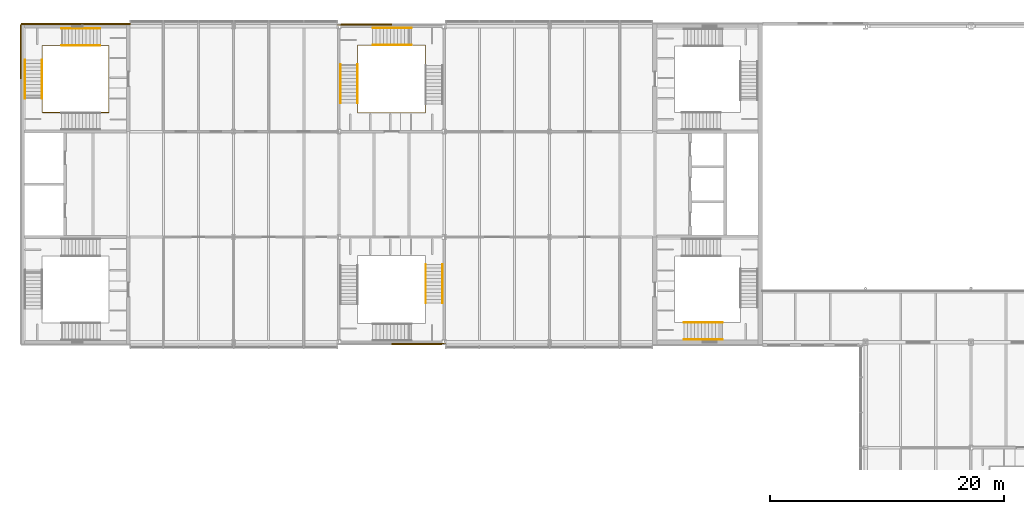
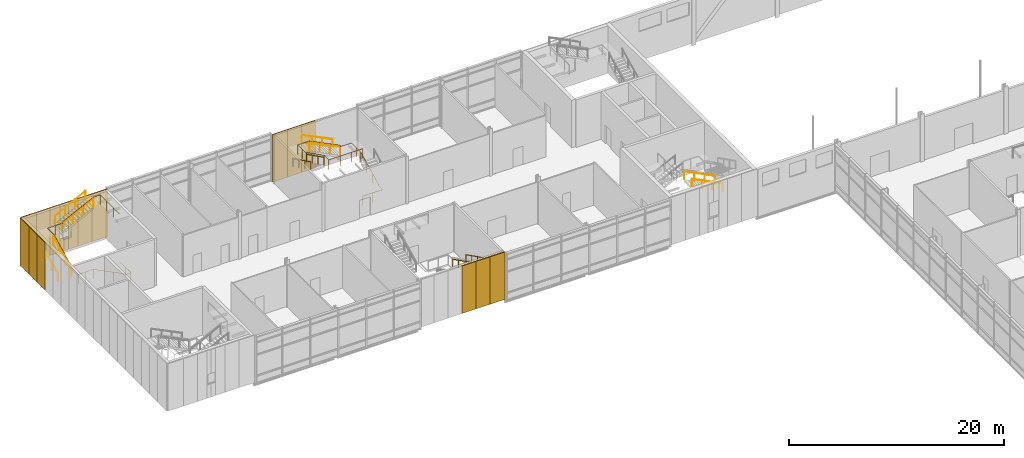
# One storey, part 51 of 56: 19 coverings, 14 railings.
"""IFC4 building model written with IfcOpenShell, lengths in metres."""

from ifc_helpers import new_model, si_unit, direction, frame, origin, origin_2d, place, context, subcontext, project, spatial, rectangle, circle, extrude, material, layer, layer_set, type_object, element, save


model = new_model("IFC4")

# Units and contexts
model_context = context("Model", 3, precision=1e-05, world=origin(), true_north=direction((0.0, 1.0)))
body_context = subcontext(model_context, "Body", "Model", "MODEL_VIEW")
ifc_project = project(units=[si_unit("LENGTHUNIT", "METRE"), si_unit("AREAUNIT", "SQUARE_METRE"), si_unit("VOLUMEUNIT", "CUBIC_METRE"), si_unit("PLANEANGLEUNIT", "RADIAN"), si_unit("MASSUNIT", "GRAM", prefix="KILO")], contexts=[model_context])

# Site, building, storey
site_placement = place(None, origin())
site = spatial("IfcSite", under=ifc_project, at=site_placement, CompositionType="ELEMENT")
building_placement = place(site_placement, origin())
building = spatial("IfcBuilding", under=site, at=building_placement, Name="Azimuth Sports and Learning Centre", CompositionType="ELEMENT")
storey_placement = place(building_placement, frame((0.0, 0.0, 5.39990234375)))
storey = spatial("IfcBuildingStorey", under=building, at=storey_placement, Name="L01", CompositionType="ELEMENT", Elevation=5.39990234375)

# Coverings
ifc_material_1 = material(Name="Cladding panel")
ifc_layer = layer(ifc_material_1, 0.10009765625)
ifc_layer_set = layer_set([ifc_layer], Name="Cladding panel")
covering_type = type_object("IfcCoveringType", Name="Cladding panel 100", PredefinedType="CLADDING", material=ifc_layer_set)
for number, where, z_axis, x_axis, name in (
    (1, (32.25, 89.85009765625, 0.000244140625), (0.0, 0.0, 1.0), (1.0, 0.0, 0.0), "Cladding panel S-WM1 L01 4"),
    (2, (33.75, 89.85009765625, 0.000244140625), (0.0, 0.0, 1.0), (1.0, 0.0, 0.0), "Cladding panel S-WM1 L01 5"),
):
    element("IfcCovering", number, at=place(storey_placement, frame(where, z_axis=z_axis, x_axis=x_axis)), inside=storey, type_object=covering_type, Name=name, PredefinedType="CLADDING", context=body_context, shape_type="SweptSolid", body=[
        extrude(rectangle(XDim=1.5, YDim=0.10009765625, at=origin_2d()), origin(), (0.0, 0.0, 1.0), 5.39990234375),
    ])
covering_1_placement = place(storey_placement, frame((35.300048828125, 89.85009765625, 0.000244140625), z_axis=(0.0, 0.0, 1.0), x_axis=(1.0, 0.0, 0.0)))
element("IfcCovering", 3, at=covering_1_placement, inside=storey, type_object=covering_type, Name="Cladding panel S-WM1 L01 6", PredefinedType="CLADDING", context=body_context, shape_type="SweptSolid", body=[
    extrude(rectangle(XDim=1.60009765625, YDim=0.10009765625, at=origin_2d()), origin(), (0.0, 0.0, 1.0), 5.39990234375),
])
for number, where, z_axis, x_axis, name in (
    (4, (30.75, 117.14990234375, 0.000244140625), (0.0, 0.0, 1.0), (-1.0, 0.0, 0.0), "Cladding panel N-WM2 L01 4"),
    (5, (29.25, 117.14990234375, 0.000244140625), (0.0, 0.0, 1.0), (-1.0, 0.0, 0.0), "Cladding panel N-WM2 L01 5"),
):
    element("IfcCovering", number, at=place(storey_placement, frame(where, z_axis=z_axis, x_axis=x_axis)), inside=storey, type_object=covering_type, Name=name, PredefinedType="CLADDING", context=body_context, shape_type="SweptSolid", body=[
        extrude(rectangle(XDim=1.5, YDim=0.10009765625, at=origin_2d()), origin(), (0.0, 0.0, 1.0), 5.39990234375),
    ])
covering_2_placement = place(storey_placement, frame((27.699951171875, 117.14990234375, 0.000244140625), z_axis=(0.0, 0.0, 1.0), x_axis=(-1.0, 0.0, 0.0)))
element("IfcCovering", 6, at=covering_2_placement, inside=storey, type_object=covering_type, Name="Cladding panel N-WM2 L01 6", PredefinedType="CLADDING", context=body_context, shape_type="SweptSolid", body=[
    extrude(rectangle(XDim=1.60009765625, YDim=0.10009765625, at=origin_2d()), origin(), (0.0, 0.0, 1.0), 5.39990234375),
])
covering_3_placement = place(storey_placement, frame((8.324951171875, 117.199951171875, 0.000244140625), z_axis=(0.0, 0.0, 1.0), x_axis=(-1.0, 0.0, 0.0)))
element("IfcCovering", 7, at=covering_3_placement, inside=storey, type_object=covering_type, Name="Cladding panel N-END W L01 1", PredefinedType="CLADDING", context=body_context, shape_type="SweptSolid", body=[
    extrude(rectangle(XDim=1.64990234375, YDim=0.10009765625, at=origin_2d()), origin(), (0.0, 0.0, 1.0), 5.39990234375),
])
covering_4_placement = place(storey_placement, frame((6.75, 117.199951171875, 0.000244140625), z_axis=(0.0, 0.0, 1.0), x_axis=(-1.0, 0.0, 0.0)))
element("IfcCovering", 8, at=covering_4_placement, inside=storey, type_object=covering_type, Name="Cladding panel N-END W L01 2", PredefinedType="CLADDING", context=body_context, shape_type="SweptSolid", body=[
    extrude(rectangle(XDim=1.5, YDim=0.10009765625, at=origin_2d()), origin(), (0.0, 0.0, 1.0), 5.39990234375),
])
covering_5_placement = place(storey_placement, frame((5.47509765625, 117.199951171875, 0.000244140625), z_axis=(0.0, 0.0, 1.0), x_axis=(-1.0, 0.0, 0.0)))
element("IfcCovering", 9, at=covering_5_placement, inside=storey, type_object=covering_type, Name="Cladding panel N-END W L01 3", PredefinedType="CLADDING", context=body_context, shape_type="SweptSolid", body=[
    extrude(rectangle(XDim=1.050048828125, YDim=0.10009765625, at=origin_2d()), origin(), (0.0, 0.0, 1.0), 5.39990234375),
])
covering_6_placement = place(storey_placement, frame((4.72509765625, 117.199951171875, 0.0), z_axis=(0.0, 0.0, 1.0), x_axis=(-1.0, 0.0, 0.0)))
element("IfcCovering", 10, at=covering_6_placement, inside=storey, type_object=covering_type, Name="Cladding panel N-END W L01 4", PredefinedType="CLADDING", context=body_context, shape_type="SweptSolid", body=[
    extrude(rectangle(XDim=0.449951171875, YDim=0.10009765625, at=origin_2d()), origin(), (0.0, 0.0, 1.0), 1.5),
])
covering_7_placement = place(storey_placement, frame((4.72509765625, 117.199951171875, 2.7001953125), z_axis=(0.0, 0.0, 1.0), x_axis=(-1.0, 0.0, 0.0)))
element("IfcCovering", 11, at=covering_7_placement, inside=storey, type_object=covering_type, Name="Cladding panel N-END W L01 5", PredefinedType="CLADDING", context=body_context, shape_type="SweptSolid", body=[
    extrude(rectangle(XDim=0.449951171875, YDim=0.10009765625, at=origin_2d()), origin(), (0.0, 0.0, 1.0), 2.699951171875),
])
covering_8_placement = place(storey_placement, frame((3.52490234375, 117.199951171875, 0.000244140625), z_axis=(0.0, 0.0, 1.0), x_axis=(-1.0, 0.0, 0.0)))
element("IfcCovering", 12, at=covering_8_placement, inside=storey, type_object=covering_type, Name="Cladding panel N-END W L01 6", PredefinedType="CLADDING", context=body_context, shape_type="SweptSolid", body=[
    extrude(rectangle(XDim=1.050048828125, YDim=0.10009765625, at=origin_2d()), origin(), (0.0, 0.0, 1.0), 5.39990234375),
])
covering_9_placement = place(storey_placement, frame((4.27490234375, 117.199951171875, 0.0), z_axis=(0.0, 0.0, 1.0), x_axis=(-1.0, 0.0, 0.0)))
element("IfcCovering", 13, at=covering_9_placement, inside=storey, type_object=covering_type, Name="Cladding panel N-END W L01 7", PredefinedType="CLADDING", context=body_context, shape_type="SweptSolid", body=[
    extrude(rectangle(XDim=0.449951171875, YDim=0.10009765625, at=origin_2d()), origin(), (0.0, 0.0, 1.0), 1.5),
])
covering_10_placement = place(storey_placement, frame((4.27490234375, 117.199951171875, 2.7001953125), z_axis=(0.0, 0.0, 1.0), x_axis=(-1.0, 0.0, 0.0)))
element("IfcCovering", 14, at=covering_10_placement, inside=storey, type_object=covering_type, Name="Cladding panel N-END W L01 8", PredefinedType="CLADDING", context=body_context, shape_type="SweptSolid", body=[
    extrude(rectangle(XDim=0.449951171875, YDim=0.10009765625, at=origin_2d()), origin(), (0.0, 0.0, 1.0), 2.699951171875),
])
covering_11_placement = place(storey_placement, frame((2.25, 117.199951171875, 0.000244140625), z_axis=(0.0, 0.0, 1.0), x_axis=(-1.0, 0.0, 0.0)))
element("IfcCovering", 15, at=covering_11_placement, inside=storey, type_object=covering_type, Name="Cladding panel N-END W L01 9", PredefinedType="CLADDING", context=body_context, shape_type="SweptSolid", body=[
    extrude(rectangle(XDim=1.5, YDim=0.10009765625, at=origin_2d()), origin(), (0.0, 0.0, 1.0), 5.39990234375),
])
for number, where, z_axis, x_axis, name in (
    (16, (0.675048828125, 117.199951171875, 0.000244140625), (0.0, 0.0, 1.0), (-1.0, 0.0, 0.0), "Cladding panel N-END W L01 10"),
    (17, (-0.199951171875, 116.324951171875, 0.000244140625), (0.0, 0.0, 1.0), (0.0, -1.0, 0.0), "Cladding panel W-END W L01 1"),
):
    element("IfcCovering", number, at=place(storey_placement, frame(where, z_axis=z_axis, x_axis=x_axis)), inside=storey, type_object=covering_type, Name=name, PredefinedType="CLADDING", context=body_context, shape_type="SweptSolid", body=[
        extrude(rectangle(XDim=1.64990234375, YDim=0.10009765625, at=origin_2d()), origin(), (0.0, 0.0, 1.0), 5.39990234375),
    ])
for number, where, z_axis, x_axis, name in (
    (18, (-0.199951171875, 114.75, 0.000244140625), (0.0, 0.0, 1.0), (0.0, -1.0, 0.0), "Cladding panel W-END W L01 2"),
    (19, (-0.199951171875, 113.25, 0.000244140625), (0.0, 0.0, 1.0), (0.0, -1.0, 0.0), "Cladding panel W-END W L01 3"),
):
    element("IfcCovering", number, at=place(storey_placement, frame(where, z_axis=z_axis, x_axis=x_axis)), inside=storey, type_object=covering_type, Name=name, PredefinedType="CLADDING", context=body_context, shape_type="SweptSolid", body=[
        extrude(rectangle(XDim=1.5, YDim=0.10009765625, at=origin_2d()), origin(), (0.0, 0.0, 1.0), 5.39990234375),
    ])

# Railings
ifc_material_2 = material(Name="Stainless steel", Category="steel")
railing_type_1 = type_object("IfcRailingType", Name="Stair guard 1100", PredefinedType="GUARDRAIL", material=ifc_material_2)
railing_1_placement = place(storey_placement, frame((7.340087890625, 111.75, 0.0)))
element("IfcRailing", 20, at=railing_1_placement, inside=storey, type_object=railing_type_1, Name="Guard WW2 L01 well", PredefinedType="GUARDRAIL", context=body_context, shape_type="SweptSolid", body=[
    extrude(circle(Radius=0.02392578125, at=origin_2d()), frame((0.0, 0.0, 1.076171875), z_axis=(0.0, -1.0, 0.0), x_axis=(1.0, 0.0, 0.0)), (0.0, 0.0, 1.0), 2.114990234375),
    extrude(circle(Radius=0.02392578125, at=origin_2d()), frame((0.0, -2.114990234375, 1.076171875), z_axis=(-1.0, 0.0, 0.0), x_axis=(0.0, -1.0, 0.0)), (0.0, 0.0, 1.0), 0.75),
    extrude(circle(Radius=0.02392578125, at=origin_2d()), frame((-0.75, -2.114990234375, 1.076171875), z_axis=(0.0, 0.0, 1.0), x_axis=(1.0, 0.0, 0.0)), (0.0, 0.0, 1.0), 0.150146484375),
    extrude(circle(Radius=0.02392578125, at=origin_2d()), frame((-0.75, -2.114990234375, 1.22607421875), z_axis=(-0.894440424912, 0.0, 0.447187126696), x_axis=(0.0, -1.0, 0.0)), (0.0, 0.0, 1.0), 3.689453125),
    extrude(circle(Radius=0.02392578125, at=origin_2d()), frame((-4.050048828125, -2.114990234375, 2.8759765625), z_axis=(-1.0, 0.0, 0.0), x_axis=(0.0, -1.0, 0.0)), (0.0, 0.0, 1.0), 1.630126953125),
    extrude(circle(Radius=0.02392578125, at=origin_2d()), frame((-5.68017578125, -2.114990234375, 2.8759765625), z_axis=(0.0, 1.0, 0.0), x_axis=(-1.0, 0.0, 0.0)), (0.0, 0.0, 1.0), 1.199951171875),
    extrude(circle(Radius=0.02392578125, at=origin_2d()), frame((-5.68017578125, -0.9150390625, 2.8759765625), z_axis=(0.0, 0.0, 1.0), x_axis=(1.0, 0.0, 0.0)), (0.0, 0.0, 1.0), 0.150146484375),
    extrude(circle(Radius=0.02392578125, at=origin_2d()), frame((-5.68017578125, -0.9150390625, 3.0263671875), z_axis=(0.0, 0.894440424912, 0.447187126696), x_axis=(-1.0, 0.0, 0.0)), (0.0, 0.0, 1.0), 3.689453125),
    extrude(circle(Radius=0.02392578125, at=origin_2d()), frame((-5.68017578125, 2.385009765625, 4.67626953125), z_axis=(0.0, 1.0, 0.0), x_axis=(-1.0, 0.0, 0.0)), (0.0, 0.0, 1.0), 1.205078125),
    extrude(circle(Radius=0.02392578125, at=origin_2d()), frame((-5.68017578125, 3.590087890625, 4.67626953125), z_axis=(1.0, 0.0, 0.0), x_axis=(0.0, 1.0, 0.0)), (0.0, 0.0, 1.0), 1.650146484375),
    extrude(circle(Radius=0.02392578125, at=origin_2d()), frame((-4.030029296875, 3.590087890625, 4.67626953125), z_axis=(0.0, 0.0, 1.0), x_axis=(1.0, 0.0, 0.0)), (0.0, 0.0, 1.0), 0.14990234375),
    extrude(circle(Radius=0.02392578125, at=origin_2d()), frame((-4.030029296875, 3.590087890625, 4.826171875), z_axis=(0.894413956696, 0.0, 0.447240063129), x_axis=(0.0, 1.0, 0.0)), (0.0, 0.0, 1.0), 3.689697265625),
    extrude(circle(Radius=0.02392578125, at=origin_2d()), frame((-0.72998046875, 3.590087890625, 6.47607421875), z_axis=(1.0, 0.0, 0.0), x_axis=(0.0, 1.0, 0.0)), (0.0, 0.0, 1.0), 0.72998046875),
    extrude(circle(Radius=0.02392578125, at=origin_2d()), frame((0.0, 3.590087890625, 6.47607421875), z_axis=(0.0, -1.0, 0.0), x_axis=(1.0, 0.0, 0.0)), (0.0, 0.0, 1.0), 3.590087890625),
    extrude(circle(Radius=0.01611328125, at=origin_2d()), origin(), (0.0, 0.0, 1.0), 1.052001953125),
    extrude(circle(Radius=0.01611328125, at=origin_2d()), frame((0.0, -1.0576171875, 0.0)), (0.0, 0.0, 1.0), 1.052001953125),
    extrude(circle(Radius=0.01611328125, at=origin_2d()), frame((0.0, -2.114990234375, 0.0)), (0.0, 0.0, 1.0), 1.052001953125),
    extrude(circle(Radius=0.01611328125, at=origin_2d()), frame((-0.75, -2.114990234375, 0.0)), (0.0, 0.0, 1.0), 1.052001953125),
    extrude(circle(Radius=0.01611328125, at=origin_2d()), frame((-0.75, -2.114990234375, 0.150146484375)), (0.0, 0.0, 1.0), 1.052001953125),
    extrude(circle(Radius=0.01611328125, at=origin_2d()), frame((-1.85009765625, -2.114990234375, 0.7001953125)), (0.0, 0.0, 1.0), 1.052001953125),
    extrude(circle(Radius=0.01611328125, at=origin_2d()), frame((-2.949951171875, -2.114990234375, 1.25)), (0.0, 0.0, 1.0), 1.052001953125),
    extrude(circle(Radius=0.01611328125, at=origin_2d()), frame((-4.050048828125, -2.114990234375, 1.800048828125)), (0.0, 0.0, 1.0), 1.052001953125),
    extrude(circle(Radius=0.01611328125, at=origin_2d()), frame((-4.865234375, -2.114990234375, 1.800048828125)), (0.0, 0.0, 1.0), 1.052001953125),
    extrude(circle(Radius=0.01611328125, at=origin_2d()), frame((-5.68017578125, -2.114990234375, 1.800048828125)), (0.0, 0.0, 1.0), 1.052001953125),
    extrude(circle(Radius=0.01611328125, at=origin_2d()), frame((-5.68017578125, -0.9150390625, 1.800048828125)), (0.0, 0.0, 1.0), 1.052001953125),
    extrude(circle(Radius=0.01611328125, at=origin_2d()), frame((-5.68017578125, -0.9150390625, 1.9501953125)), (0.0, 0.0, 1.0), 1.052001953125),
    extrude(circle(Radius=0.01611328125, at=origin_2d()), frame((-5.68017578125, 0.18505859375, 2.500244140625)), (0.0, 0.0, 1.0), 1.052001953125),
    extrude(circle(Radius=0.01611328125, at=origin_2d()), frame((-5.68017578125, 1.284912109375, 3.050048828125)), (0.0, 0.0, 1.0), 1.052001953125),
    extrude(circle(Radius=0.01611328125, at=origin_2d()), frame((-5.68017578125, 2.385009765625, 3.60009765625)), (0.0, 0.0, 1.0), 1.052001953125),
    extrude(circle(Radius=0.01611328125, at=origin_2d()), frame((-5.68017578125, 3.590087890625, 3.60009765625)), (0.0, 0.0, 1.0), 1.052001953125),
    extrude(circle(Radius=0.01611328125, at=origin_2d()), frame((-4.85498046875, 3.590087890625, 3.60009765625)), (0.0, 0.0, 1.0), 1.052001953125),
    extrude(circle(Radius=0.01611328125, at=origin_2d()), frame((-4.030029296875, 3.590087890625, 3.60009765625)), (0.0, 0.0, 1.0), 1.052001953125),
    extrude(circle(Radius=0.01611328125, at=origin_2d()), frame((-4.030029296875, 3.590087890625, 3.75)), (0.0, 0.0, 1.0), 1.052001953125),
    extrude(circle(Radius=0.01611328125, at=origin_2d()), frame((-2.929931640625, 3.590087890625, 4.300048828125)), (0.0, 0.0, 1.0), 1.052001953125),
    extrude(circle(Radius=0.01611328125, at=origin_2d()), frame((-1.830078125, 3.590087890625, 4.85009765625)), (0.0, 0.0, 1.0), 1.052001953125),
    extrude(circle(Radius=0.01611328125, at=origin_2d()), frame((-0.72998046875, 3.590087890625, 5.400146484375)), (0.0, 0.0, 1.0), 1.052001953125),
    extrude(circle(Radius=0.01611328125, at=origin_2d()), frame((0.0, 3.590087890625, 5.400146484375)), (0.0, 0.0, 1.0), 1.052001953125),
    extrude(circle(Radius=0.01611328125, at=origin_2d()), frame((0.0, 2.393310546875, 5.400146484375)), (0.0, 0.0, 1.0), 1.052001953125),
    extrude(circle(Radius=0.01611328125, at=origin_2d()), frame((0.0, 1.19677734375, 5.400146484375)), (0.0, 0.0, 1.0), 1.052001953125),
    extrude(circle(Radius=0.01611328125, at=origin_2d()), frame((0.0, 0.0, 5.400146484375)), (0.0, 0.0, 1.0), 1.052001953125),
])
railing_2_placement = place(storey_placement, frame((32.25, 109.610107421875, 0.0)))
element("IfcRailing", 21, at=railing_2_placement, inside=storey, type_object=railing_type_1, Name="Guard WM2 L01 well", PredefinedType="GUARDRAIL", context=body_context, shape_type="SweptSolid", body=[
    extrude(circle(Radius=0.02392578125, at=origin_2d()), frame((0.0, 0.0, 1.076171875), z_axis=(1.0, 0.0, 0.0), x_axis=(0.0, 1.0, 0.0)), (0.0, 0.0, 1.0), 2.139892578125),
    extrude(circle(Radius=0.02392578125, at=origin_2d()), frame((2.139892578125, 0.0, 1.076171875), z_axis=(0.0, 1.0, 0.0), x_axis=(-1.0, 0.0, 0.0)), (0.0, 0.0, 1.0), 0.75),
    extrude(circle(Radius=0.02392578125, at=origin_2d()), frame((2.139892578125, 0.75, 1.076171875), z_axis=(0.0, 0.0, 1.0), x_axis=(1.0, 0.0, 0.0)), (0.0, 0.0, 1.0), 0.150146484375),
    extrude(circle(Radius=0.02392578125, at=origin_2d()), frame((2.139892578125, 0.75, 1.22607421875), z_axis=(0.0, 0.894427191, 0.4472135955), x_axis=(-1.0, 0.0, 0.0)), (0.0, 0.0, 1.0), 3.689208984375),
    extrude(circle(Radius=0.02392578125, at=origin_2d()), frame((2.139892578125, 4.0498046875, 2.8759765625), z_axis=(0.0, 1.0, 0.0), x_axis=(-1.0, 0.0, 0.0)), (0.0, 0.0, 1.0), 1.72998046875),
    extrude(circle(Radius=0.02392578125, at=origin_2d()), frame((2.139892578125, 5.77978515625, 2.8759765625), z_axis=(-1.0, 0.0, 0.0), x_axis=(0.0, -1.0, 0.0)), (0.0, 0.0, 1.0), 1.199951171875),
    extrude(circle(Radius=0.02392578125, at=origin_2d()), frame((0.93994140625, 5.77978515625, 2.8759765625), z_axis=(0.0, 0.0, 1.0), x_axis=(1.0, 0.0, 0.0)), (0.0, 0.0, 1.0), 0.150146484375),
    extrude(circle(Radius=0.02392578125, at=origin_2d()), frame((0.93994140625, 5.77978515625, 3.0263671875), z_axis=(-0.894440424912, 0.0, 0.447187126696), x_axis=(0.0, -1.0, 0.0)), (0.0, 0.0, 1.0), 3.689453125),
    extrude(circle(Radius=0.02392578125, at=origin_2d()), frame((-2.360107421875, 5.77978515625, 4.67626953125), z_axis=(-1.0, 0.0, 0.0), x_axis=(0.0, -1.0, 0.0)), (0.0, 0.0, 1.0), 1.27978515625),
    extrude(circle(Radius=0.02392578125, at=origin_2d()), frame((-3.639892578125, 5.77978515625, 4.67626953125), z_axis=(0.0, -1.0, 0.0), x_axis=(1.0, 0.0, 0.0)), (0.0, 0.0, 1.0), 1.64990234375),
    extrude(circle(Radius=0.02392578125, at=origin_2d()), frame((-3.639892578125, 4.1298828125, 4.67626953125), z_axis=(0.0, 0.0, 1.0), x_axis=(1.0, 0.0, 0.0)), (0.0, 0.0, 1.0), 0.14990234375),
    extrude(circle(Radius=0.02392578125, at=origin_2d()), frame((-3.639892578125, 4.1298828125, 4.826171875), z_axis=(0.0, -0.894413956696, 0.447240063129), x_axis=(1.0, 0.0, 0.0)), (0.0, 0.0, 1.0), 3.689697265625),
    extrude(circle(Radius=0.02392578125, at=origin_2d()), frame((-3.639892578125, 0.829833984375, 6.47607421875), z_axis=(0.0, -1.0, 0.0), x_axis=(1.0, 0.0, 0.0)), (0.0, 0.0, 1.0), 0.829833984375),
    extrude(circle(Radius=0.02392578125, at=origin_2d()), frame((-3.639892578125, 0.0, 6.47607421875), z_axis=(1.0, 0.0, 0.0), x_axis=(0.0, 1.0, 0.0)), (0.0, 0.0, 1.0), 3.639892578125),
    extrude(circle(Radius=0.01611328125, at=origin_2d()), origin(), (0.0, 0.0, 1.0), 1.052001953125),
    extrude(circle(Radius=0.01611328125, at=origin_2d()), frame((1.06982421875, 0.0, 0.0)), (0.0, 0.0, 1.0), 1.052001953125),
    extrude(circle(Radius=0.01611328125, at=origin_2d()), frame((2.139892578125, 0.0, 0.0)), (0.0, 0.0, 1.0), 1.052001953125),
    extrude(circle(Radius=0.01611328125, at=origin_2d()), frame((2.139892578125, 0.75, 0.0)), (0.0, 0.0, 1.0), 1.052001953125),
    extrude(circle(Radius=0.01611328125, at=origin_2d()), frame((2.139892578125, 0.75, 0.150146484375)), (0.0, 0.0, 1.0), 1.052001953125),
    extrude(circle(Radius=0.01611328125, at=origin_2d()), frame((2.139892578125, 1.849853515625, 0.7001953125)), (0.0, 0.0, 1.0), 1.052001953125),
    extrude(circle(Radius=0.01611328125, at=origin_2d()), frame((2.139892578125, 2.949951171875, 1.25)), (0.0, 0.0, 1.0), 1.052001953125),
    extrude(circle(Radius=0.01611328125, at=origin_2d()), frame((2.139892578125, 4.0498046875, 1.800048828125)), (0.0, 0.0, 1.0), 1.052001953125),
    extrude(circle(Radius=0.01611328125, at=origin_2d()), frame((2.139892578125, 4.914794921875, 1.800048828125)), (0.0, 0.0, 1.0), 1.052001953125),
    extrude(circle(Radius=0.01611328125, at=origin_2d()), frame((2.139892578125, 5.77978515625, 1.800048828125)), (0.0, 0.0, 1.0), 1.052001953125),
    extrude(circle(Radius=0.01611328125, at=origin_2d()), frame((0.93994140625, 5.77978515625, 1.800048828125)), (0.0, 0.0, 1.0), 1.052001953125),
    extrude(circle(Radius=0.01611328125, at=origin_2d()), frame((0.93994140625, 5.77978515625, 1.9501953125)), (0.0, 0.0, 1.0), 1.052001953125),
    extrude(circle(Radius=0.01611328125, at=origin_2d()), frame((-0.16015625, 5.77978515625, 2.500244140625)), (0.0, 0.0, 1.0), 1.052001953125),
    extrude(circle(Radius=0.01611328125, at=origin_2d()), frame((-1.260009765625, 5.77978515625, 3.050048828125)), (0.0, 0.0, 1.0), 1.052001953125),
    extrude(circle(Radius=0.01611328125, at=origin_2d()), frame((-2.360107421875, 5.77978515625, 3.60009765625)), (0.0, 0.0, 1.0), 1.052001953125),
    extrude(circle(Radius=0.01611328125, at=origin_2d()), frame((-3.639892578125, 5.77978515625, 3.60009765625)), (0.0, 0.0, 1.0), 1.052001953125),
    extrude(circle(Radius=0.01611328125, at=origin_2d()), frame((-3.639892578125, 4.954833984375, 3.60009765625)), (0.0, 0.0, 1.0), 1.052001953125),
    extrude(circle(Radius=0.01611328125, at=origin_2d()), frame((-3.639892578125, 4.1298828125, 3.60009765625)), (0.0, 0.0, 1.0), 1.052001953125),
    extrude(circle(Radius=0.01611328125, at=origin_2d()), frame((-3.639892578125, 4.1298828125, 3.75)), (0.0, 0.0, 1.0), 1.052001953125),
    extrude(circle(Radius=0.01611328125, at=origin_2d()), frame((-3.639892578125, 3.02978515625, 4.300048828125)), (0.0, 0.0, 1.0), 1.052001953125),
    extrude(circle(Radius=0.01611328125, at=origin_2d()), frame((-3.639892578125, 1.929931640625, 4.85009765625)), (0.0, 0.0, 1.0), 1.052001953125),
    extrude(circle(Radius=0.01611328125, at=origin_2d()), frame((-3.639892578125, 0.829833984375, 5.400146484375)), (0.0, 0.0, 1.0), 1.052001953125),
    extrude(circle(Radius=0.01611328125, at=origin_2d()), frame((-3.639892578125, 0.0, 5.400146484375)), (0.0, 0.0, 1.0), 1.052001953125),
    extrude(circle(Radius=0.01611328125, at=origin_2d()), frame((-2.426513671875, 0.0, 5.400146484375)), (0.0, 0.0, 1.0), 1.052001953125),
    extrude(circle(Radius=0.01611328125, at=origin_2d()), frame((-1.21337890625, 0.0, 5.400146484375)), (0.0, 0.0, 1.0), 1.052001953125),
    extrude(circle(Radius=0.01611328125, at=origin_2d()), frame((0.0, 0.0, 5.400146484375)), (0.0, 0.0, 1.0), 1.052001953125),
])
ifc_material_3 = material(Name="Stainless steel", Category="steel")
railing_type_2 = type_object("IfcRailingType", Name="Stair handrail 42", PredefinedType="HANDRAIL", material=ifc_material_3)
for number, where, name in (
    (22, (59.7900390625, 91.679931640625, 3.75), "Handrail W1 L01 flight 3 inner"),
    (23, (59.7900390625, 90.239990234375, 3.75), "Handrail W1 L01 flight 3 outer"),
):
    element("IfcRailing", number, at=place(storey_placement, frame(where)), inside=storey, type_object=railing_type_2, Name=name, PredefinedType="HANDRAIL", context=body_context, shape_type="SweptSolid", body=[
        extrude(circle(Radius=0.02099609375, at=origin_2d()), frame((0.0, 0.0, 0.87890625), z_axis=(-0.894413956696, 0.0, 0.447240063129), x_axis=(0.0, -1.0, 0.0)), (0.0, 0.0, 1.0), 3.689697265625),
        extrude(circle(Radius=0.01611328125, at=origin_2d()), origin(), (0.0, 0.0, 1.0), 0.85791015625),
        extrude(circle(Radius=0.01611328125, at=origin_2d()), frame((-1.10009765625, 0.0, 0.550048828125)), (0.0, 0.0, 1.0), 0.85791015625),
        extrude(circle(Radius=0.01611328125, at=origin_2d()), frame((-2.199951171875, 0.0, 1.10009765625)), (0.0, 0.0, 1.0), 0.85791015625),
        extrude(circle(Radius=0.01611328125, at=origin_2d()), frame((-3.300048828125, 0.0, 1.650146484375)), (0.0, 0.0, 1.0), 0.85791015625),
    ])
for number, where, name in (
    (24, (1.6298828125, 110.8349609375, 1.9501953125), "Handrail WW2 L01 flight 2 inner"),
    (25, (0.18994140625, 110.8349609375, 1.9501953125), "Handrail WW2 L01 flight 2 outer"),
):
    element("IfcRailing", number, at=place(storey_placement, frame(where)), inside=storey, type_object=railing_type_2, Name=name, PredefinedType="HANDRAIL", context=body_context, shape_type="SweptSolid", body=[
        extrude(circle(Radius=0.02099609375, at=origin_2d()), frame((0.0, 0.0, 0.87890625), z_axis=(0.0, 0.894440424912, 0.447187126696), x_axis=(-1.0, 0.0, 0.0)), (0.0, 0.0, 1.0), 3.689453125),
        extrude(circle(Radius=0.01611328125, at=origin_2d()), origin(), (0.0, 0.0, 1.0), 0.85791015625),
        extrude(circle(Radius=0.01611328125, at=origin_2d()), frame((0.0, 1.10009765625, 0.550048828125)), (0.0, 0.0, 1.0), 0.85791015625),
        extrude(circle(Radius=0.01611328125, at=origin_2d()), frame((0.0, 2.199951171875, 1.099853515625)), (0.0, 0.0, 1.0), 0.85791015625),
        extrude(circle(Radius=0.01611328125, at=origin_2d()), frame((0.0, 3.300048828125, 1.64990234375)), (0.0, 0.0, 1.0), 0.85791015625),
    ])
for number, where, name in (
    (26, (3.31005859375, 115.3701171875, 3.75), "Handrail WW2 L01 flight 3 inner"),
    (27, (3.31005859375, 116.81005859375, 3.75), "Handrail WW2 L01 flight 3 outer"),
):
    element("IfcRailing", number, at=place(storey_placement, frame(where)), inside=storey, type_object=railing_type_2, Name=name, PredefinedType="HANDRAIL", context=body_context, shape_type="SweptSolid", body=[
        extrude(circle(Radius=0.02099609375, at=origin_2d()), frame((0.0, 0.0, 0.87890625), z_axis=(0.894413956696, 0.0, 0.447240063129), x_axis=(0.0, 1.0, 0.0)), (0.0, 0.0, 1.0), 3.689697265625),
        extrude(circle(Radius=0.01611328125, at=origin_2d()), origin(), (0.0, 0.0, 1.0), 0.85791015625),
        extrude(circle(Radius=0.01611328125, at=origin_2d()), frame((1.10009765625, 0.0, 0.550048828125)), (0.0, 0.0, 1.0), 0.85791015625),
        extrude(circle(Radius=0.01611328125, at=origin_2d()), frame((2.199951171875, 0.0, 1.10009765625)), (0.0, 0.0, 1.0), 0.85791015625),
        extrude(circle(Radius=0.01611328125, at=origin_2d()), frame((3.300048828125, 0.0, 1.650146484375)), (0.0, 0.0, 1.0), 0.85791015625),
    ])
for number, where, name in (
    (28, (34.419921875, 96.639892578125, 0.150146484375), "Handrail WM1 L01 flight 1 inner"),
    (29, (35.860107421875, 96.639892578125, 0.150146484375), "Handrail WM1 L01 flight 1 outer"),
):
    element("IfcRailing", number, at=place(storey_placement, frame(where)), inside=storey, type_object=railing_type_2, Name=name, PredefinedType="HANDRAIL", context=body_context, shape_type="SweptSolid", body=[
        extrude(circle(Radius=0.02099609375, at=origin_2d()), frame((0.0, 0.0, 0.87890625), z_axis=(0.0, -0.894427191, 0.4472135955), x_axis=(1.0, 0.0, 0.0)), (0.0, 0.0, 1.0), 3.689208984375),
        extrude(circle(Radius=0.01611328125, at=origin_2d()), origin(), (0.0, 0.0, 1.0), 0.85791015625),
        extrude(circle(Radius=0.01611328125, at=origin_2d()), frame((0.0, -1.099853515625, 0.550048828125)), (0.0, 0.0, 1.0), 0.85791015625),
        extrude(circle(Radius=0.01611328125, at=origin_2d()), frame((0.0, -2.199951171875, 1.099853515625)), (0.0, 0.0, 1.0), 0.85791015625),
        extrude(circle(Radius=0.01611328125, at=origin_2d()), frame((0.0, -3.2998046875, 1.64990234375)), (0.0, 0.0, 1.0), 0.85791015625),
    ])
for number, where, name in (
    (30, (33.18994140625, 115.419921875, 1.9501953125), "Handrail WM2 L01 flight 2 inner"),
    (31, (33.18994140625, 116.860107421875, 1.9501953125), "Handrail WM2 L01 flight 2 outer"),
):
    element("IfcRailing", number, at=place(storey_placement, frame(where)), inside=storey, type_object=railing_type_2, Name=name, PredefinedType="HANDRAIL", context=body_context, shape_type="SweptSolid", body=[
        extrude(circle(Radius=0.02099609375, at=origin_2d()), frame((0.0, 0.0, 0.87890625), z_axis=(-0.894440424912, 0.0, 0.447187126696), x_axis=(0.0, -1.0, 0.0)), (0.0, 0.0, 1.0), 3.689453125),
        extrude(circle(Radius=0.01611328125, at=origin_2d()), origin(), (0.0, 0.0, 1.0), 0.85791015625),
        extrude(circle(Radius=0.01611328125, at=origin_2d()), frame((-1.10009765625, 0.0, 0.550048828125)), (0.0, 0.0, 1.0), 0.85791015625),
        extrude(circle(Radius=0.01611328125, at=origin_2d()), frame((-2.199951171875, 0.0, 1.099853515625)), (0.0, 0.0, 1.0), 0.85791015625),
        extrude(circle(Radius=0.01611328125, at=origin_2d()), frame((-3.300048828125, 0.0, 1.64990234375)), (0.0, 0.0, 1.0), 0.85791015625),
    ])
for number, where, name in (
    (32, (28.580078125, 113.739990234375, 3.75), "Handrail WM2 L01 flight 3 inner"),
    (33, (27.139892578125, 113.739990234375, 3.75), "Handrail WM2 L01 flight 3 outer"),
):
    element("IfcRailing", number, at=place(storey_placement, frame(where)), inside=storey, type_object=railing_type_2, Name=name, PredefinedType="HANDRAIL", context=body_context, shape_type="SweptSolid", body=[
        extrude(circle(Radius=0.02099609375, at=origin_2d()), frame((0.0, 0.0, 0.87890625), z_axis=(0.0, -0.894413956696, 0.447240063129), x_axis=(1.0, 0.0, 0.0)), (0.0, 0.0, 1.0), 3.689697265625),
        extrude(circle(Radius=0.01611328125, at=origin_2d()), origin(), (0.0, 0.0, 1.0), 0.85791015625),
        extrude(circle(Radius=0.01611328125, at=origin_2d()), frame((0.0, -1.10009765625, 0.550048828125)), (0.0, 0.0, 1.0), 0.85791015625),
        extrude(circle(Radius=0.01611328125, at=origin_2d()), frame((0.0, -2.199951171875, 1.10009765625)), (0.0, 0.0, 1.0), 0.85791015625),
        extrude(circle(Radius=0.01611328125, at=origin_2d()), frame((0.0, -3.300048828125, 1.650146484375)), (0.0, 0.0, 1.0), 0.85791015625),
    ])

save(model, "model.ifc")
